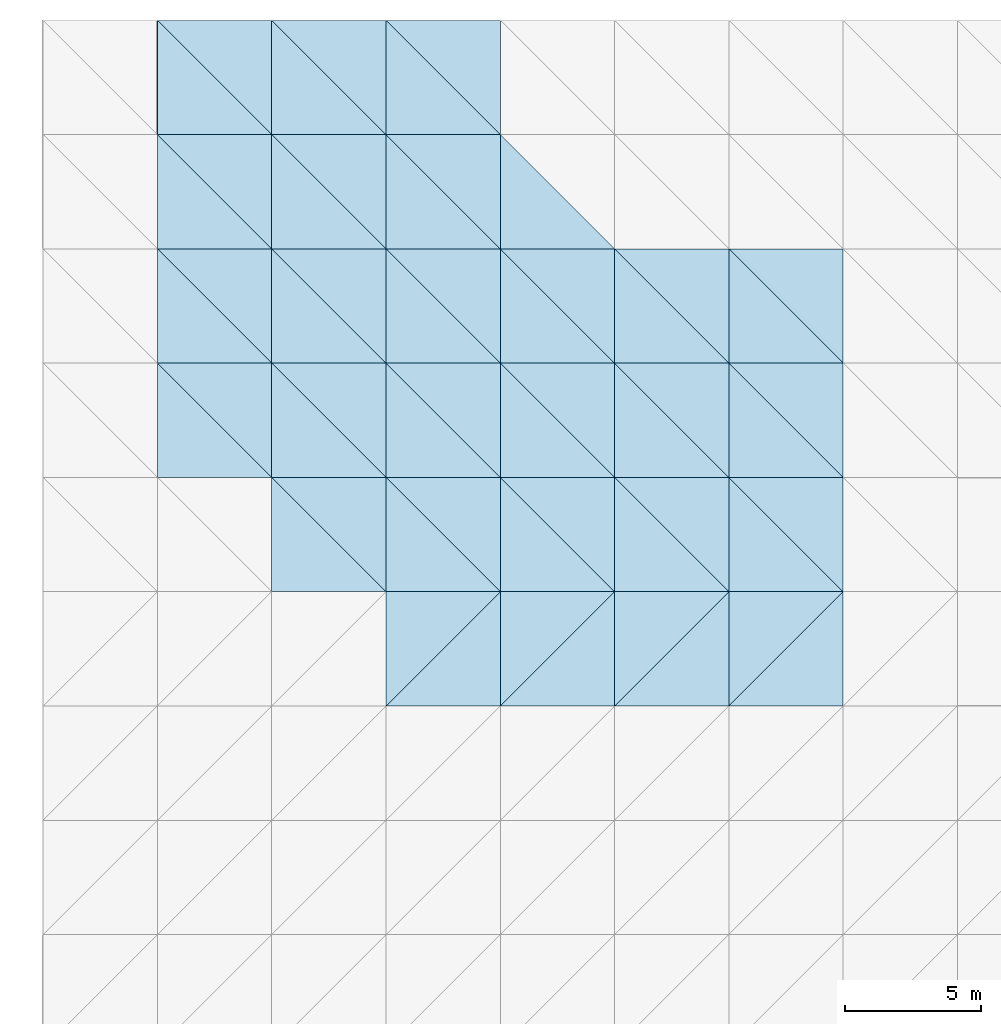
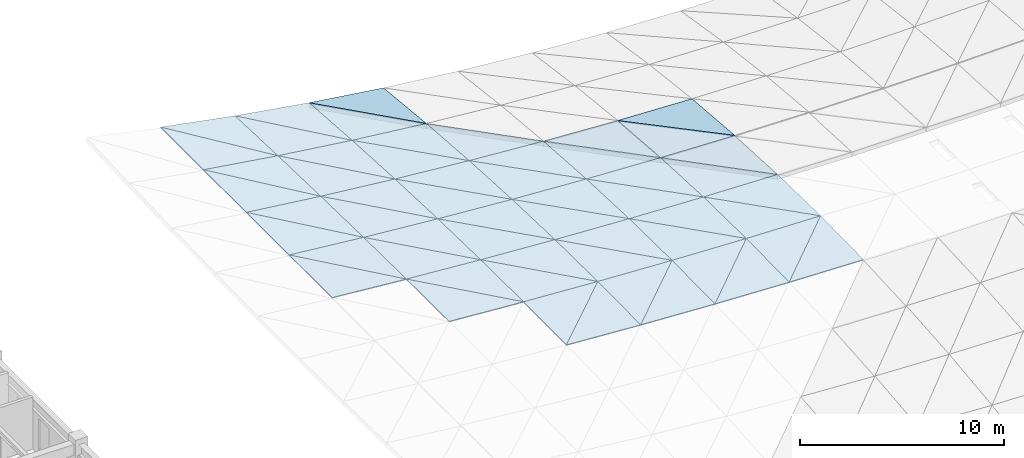
# One storey, part 43 of 64: 55 roofs.
"""IFC4 building model written with IfcOpenShell, lengths in metres."""

import ifcopenshell
import ifcopenshell.guid

model = None  # the IFC model being written
_history = None  # IfcOwnerHistory: only IFC2X3 demands one
_inside = {}  # id of a spatial element -> (the spatial element, [elements in it])
_under = {}  # id of a project, library or spatial element -> (it, [spatial elements below it])
_declared = {}  # id of a project -> (the project, [libraries it declares])
_typed = {}  # id of a type object -> (the type object, [elements of that type])
_made_of = {}  # id of a material, layer set ... -> (it, [elements and type objects made of it])


def new_model(schema):
    """Start an empty IFC model of exactly this schema.

    Asked for "IFC4X3", IfcOpenShell would pick the latest addendum, in which some entities
    have other attributes; the version numbers below select the first issue.
    IFC2X3 requires an IfcOwnerHistory on every rooted entity: one is made here for all.
    """
    global model, _history
    if schema == "IFC4X3":
        model = ifcopenshell.file(schema_version=(4, 3, 0, 0))
    else:
        model = ifcopenshell.file(schema=schema)
    _inside.clear()
    _under.clear()
    _declared.clear()
    _typed.clear()
    _made_of.clear()
    _history = None
    if model.schema == "IFC2X3":
        org = make("IfcOrganization", Name="unknown")
        user = make(
            "IfcPersonAndOrganization",
            ThePerson=make("IfcPerson", FamilyName="unknown"),
            TheOrganization=org,
        )
        app = make(
            "IfcApplication",
            ApplicationDeveloper=org,
            Version="unknown",
            ApplicationFullName="unknown",
            ApplicationIdentifier="unknown",
        )
        _history = make(
            "IfcOwnerHistory",
            OwningUser=user,
            OwningApplication=app,
            ChangeAction="ADDED",
            CreationDate=0,
        )
    return model


def make(cls, **values):
    """One entity of the class cls with the attributes given. An attribute that is None is left unset."""
    return model.create_entity(
        cls, **{name: value for name, value in values.items() if value is not None}
    )


def rooted(cls, **values):
    """An entity with a GlobalId (a new one), such as an element, a storey or a relation."""
    return make(cls, GlobalId=ifcopenshell.guid.new(), OwnerHistory=_history, **values)


def si_unit(unit_type, name, prefix=None):
    """IfcSIUnit, for example si_unit("LENGTHUNIT", "METRE", prefix="MILLI")."""
    return make("IfcSIUnit", UnitType=unit_type, Prefix=prefix, Name=name)


def assignment(units):
    """IfcUnitAssignment: the units of a project."""
    return None if units is None else make("IfcUnitAssignment", Units=units)


def point(xyz):
    """IfcCartesianPoint."""
    return None if xyz is None else make("IfcCartesianPoint", Coordinates=xyz)


def direction(xyz):
    """IfcDirection."""
    return None if xyz is None else make("IfcDirection", DirectionRatios=xyz)


def frame(location, z_axis=None, x_axis=None):
    """IfcAxis2Placement3D, a coordinate frame: its origin and axes. An axis left out is left unset."""
    return make(
        "IfcAxis2Placement3D",
        Location=point(location),
        Axis=direction(z_axis),
        RefDirection=direction(x_axis),
    )


def origin():
    """The frame at (0, 0, 0) with its axes left unset."""
    return frame((0.0, 0.0, 0.0))


def place(relative_to, where):
    """IfcLocalPlacement: puts the frame where relative to a parent placement (None: the world)."""
    return make(
        "IfcLocalPlacement", PlacementRelTo=relative_to, RelativePlacement=where
    )


def context(
    kind, dimensions, precision=None, world=None, true_north=None, identifier=None
):
    """IfcGeometricRepresentationContext, for example the 3D "Model" context."""
    return make(
        "IfcGeometricRepresentationContext",
        ContextIdentifier=identifier,
        ContextType=kind,
        CoordinateSpaceDimension=dimensions,
        Precision=precision,
        WorldCoordinateSystem=world,
        TrueNorth=true_north,
    )


def subcontext(parent, identifier, kind, view, scale=None):
    """IfcGeometricRepresentationSubContext, for example "Body" below "Model"."""
    return make(
        "IfcGeometricRepresentationSubContext",
        ContextIdentifier=identifier,
        ContextType=kind,
        ParentContext=parent,
        TargetScale=scale,
        TargetView=view,
    )


def project(units=None, contexts=None):
    """IfcProject with its units and contexts."""
    return rooted(
        "IfcProject",
        Name="project",
        RepresentationContexts=contexts,
        UnitsInContext=assignment(units),
    )


def spatial(cls, under=None, at=None, **own):
    """A site, building, storey or space (cls), placed at a placement, below another one or the project."""
    s = rooted(cls, ObjectPlacement=at, **own)
    if under is not None:
        _under.setdefault(under.id(), (under, []))[1].append(s)
    return s


def polyline(points):
    """IfcPolyline through the points."""
    return make("IfcPolyline", Points=[point(p) for p in points])


def outline(outer, holes=None, kind="AREA"):
    """IfcArbitraryClosedProfileDef: a profile drawn as a closed curve; with holes, ...WithVoids."""
    if holes is None:
        return make("IfcArbitraryClosedProfileDef", ProfileType=kind, OuterCurve=outer)
    return make(
        "IfcArbitraryProfileDefWithVoids",
        ProfileType=kind,
        OuterCurve=outer,
        InnerCurves=holes,
    )


def extrude(swept, where, along, depth):
    """IfcExtrudedAreaSolid: the profile swept, set in the frame where, extruded along a direction by depth."""
    return make(
        "IfcExtrudedAreaSolid",
        SweptArea=swept,
        Position=where,
        ExtrudedDirection=direction(along),
        Depth=depth,
    )


def shape(context_of_items, identifier, shape_type, items):
    """IfcShapeRepresentation: the items that make up one representation, for example the "Body"."""
    return make(
        "IfcShapeRepresentation",
        ContextOfItems=context_of_items,
        RepresentationIdentifier=identifier,
        RepresentationType=shape_type,
        Items=items,
    )


def material(Name=None, Category=None):
    """IfcMaterial."""
    return make("IfcMaterial", Name=Name, Category=Category)


def layer(
    of_material, thickness, ventilated=None, Name=None, Category=None, Priority=None
):
    """IfcMaterialLayer: one layer of a wall or slab, of a material (None: an air gap)."""
    return make(
        "IfcMaterialLayer",
        Material=of_material,
        LayerThickness=thickness,
        IsVentilated=ventilated,
        Name=Name,
        Category=Category,
        Priority=Priority,
    )


def layer_set(layers, Name=None):
    """IfcMaterialLayerSet."""
    return make("IfcMaterialLayerSet", MaterialLayers=layers, LayerSetName=Name)


def made_of(thing, what):
    """Note that an element or type object is made of a material, layer set ...; save() writes the relation."""
    if what is not None:
        _made_of.setdefault(what.id(), (what, []))[1].append(thing)
    return thing


def type_object(cls, material=None, **own):
    """A type object (cls), such as IfcWallType, which elements share."""
    return made_of(rooted(cls, **own), material)


def element(
    cls,
    number,
    at=None,
    inside=None,
    cuts=None,
    type_object=None,
    material=None,
    context=None,
    identifier="Body",
    shape_type=None,
    held_by="IfcProductDefinitionShape",
    body=None,
    shapes=None,
    **own,
):
    """One element of the class cls, such as IfcWall. Its Tag is "e" and its number.

    at: its placement. inside: the storey or other place that contains it. cuts: it is an
    opening in that element (IfcRelVoidsElement). A single representation is given by context,
    identifier, shape_type and body (its items); several are given by shapes. held_by: the class
    of the entity that holds the representations. save() writes the other relations.
    """
    e = rooted(cls, Tag="e%d" % number, ObjectPlacement=at, **own)
    if body is not None:
        shapes = [shape(context, identifier, shape_type, body)]
    if shapes is not None:
        e.Representation = make(held_by, Representations=shapes)
    if inside is not None:
        _inside.setdefault(inside.id(), (inside, []))[1].append(e)
    if cuts is not None:
        rooted(
            "IfcRelVoidsElement", RelatingBuildingElement=cuts, RelatedOpeningElement=e
        )
    if type_object is not None:
        _typed.setdefault(type_object.id(), (type_object, []))[1].append(e)
    return made_of(e, material)


def aggregate(whole, parts):
    """IfcRelAggregates: a whole, such as a stair, and the parts it consists of."""
    return rooted("IfcRelAggregates", RelatingObject=whole, RelatedObjects=parts)


def save(model, path):
    """Write the relations noted so far, then the file.

    IfcRelAggregates (storeys below a building ...), IfcRelContainedInSpatialStructure (elements
    in a storey), IfcRelDefinesByType, IfcRelAssociatesMaterial and IfcRelDeclares: one each for
    every whole, place, type object, material and project.
    """
    for whole, parts in _under.values():
        aggregate(whole, parts)
    for where, things in _inside.values():
        rooted(
            "IfcRelContainedInSpatialStructure",
            RelatedElements=things,
            RelatingStructure=where,
        )
    for kind, things in _typed.values():
        rooted("IfcRelDefinesByType", RelatedObjects=things, RelatingType=kind)
    for what, things in _made_of.values():
        rooted("IfcRelAssociatesMaterial", RelatedObjects=things, RelatingMaterial=what)
    for by, libraries in _declared.values():
        rooted("IfcRelDeclares", RelatingContext=by, RelatedDefinitions=libraries)
    model.write(path)


model = new_model("IFC4")

# Units and contexts
model_context = context("Model", 3, precision=1e-05, world=origin(), true_north=direction((0.0, 1.0)))
body_context = subcontext(model_context, "Body", "Model", "MODEL_VIEW")
ifc_project = project(units=[si_unit("LENGTHUNIT", "METRE"), si_unit("AREAUNIT", "SQUARE_METRE"), si_unit("VOLUMEUNIT", "CUBIC_METRE"), si_unit("PLANEANGLEUNIT", "RADIAN"), si_unit("MASSUNIT", "GRAM", prefix="KILO")], contexts=[model_context])

# Site, building, storey
site_placement = place(None, origin())
site = spatial("IfcSite", under=ifc_project, at=site_placement, CompositionType="ELEMENT")
building_placement = place(site_placement, origin())
building = spatial("IfcBuilding", under=site, at=building_placement, Name="Cumbredor Promenade Congress Hotel", CompositionType="ELEMENT")
storey_placement = place(building_placement, frame((0.0, 0.0, 18.47998046875)))
storey = spatial("IfcBuildingStorey", under=building, at=storey_placement, Name="L05", CompositionType="ELEMENT", Elevation=18.47998046875)

# Roofs
ifc_material = material(Name="Standing-seam zinc-aluminium roofing", Category="aluminium")
ifc_layer = layer(ifc_material, 0.050048828125, Name="Standing-seam zinc-aluminium roofing", Category="aluminium")
ifc_layer_set = layer_set([ifc_layer], Name="Standing-seam zinc-aluminium roofing")
roof_type = type_object("IfcRoofType", Name="Sweeping Pavilion Standing-Seam Roof Skin 50mm", PredefinedType="FREEFORM", material=ifc_layer_set)
roof_1_placement = place(storey_placement, frame((100.800048828125, 105.0, 3.151123046875), z_axis=(0.086577137099, -0.000115822257, 0.996245143485), x_axis=(0.996245150167, 0.0, -0.086577137679)))
element("IfcRoof", 1, at=roof_1_placement, inside=storey, type_object=roof_type, Name="Pre-Function and Breakout Meeting Forum Standing-Seam Roof Skin 4.7.1", PredefinedType="FREEFORM", context=body_context, shape_type="SweptSolid", body=[
    extrude(outline(polyline([(0.0, 0.0), (4.215780795691743, 6.776263578034403e-21), (-4.227399300754566e-05, 4.199951200045743), (0.0, 0.0)])), origin(), (0.0, 0.0, -1.0), 0.050048828125),
])
roof_2_placement = place(storey_placement, frame((105.0, 105.0, 2.7861328125), z_axis=(0.099135100471, 0.012550943292, 0.99499482696), x_axis=(0.0, 0.999920451999, -0.012613075515)))
element("IfcRoof", 2, at=roof_2_placement, inside=storey, type_object=roof_type, Name="Pre-Function and Breakout Meeting Forum Standing-Seam Roof Skin 4.7.2", PredefinedType="FREEFORM", context=body_context, shape_type="SweptSolid", body=[
    extrude(outline(polyline([(0.0, 0.0), (4.200285296173584, 8.673617379884035e-19), (4.1950072660386635, 4.220742621332724), (0.0, 0.0)])), origin(), (0.0, 0.0, -1.0), 0.050048828125),
])
roof_3_placement = place(storey_placement, frame((100.800048828125, 109.199951171875, 3.151611328125), z_axis=(0.099142906927, -0.000231372011, 0.995073178451), x_axis=(0.995073205086, 0.0, -0.099142909581)))
element("IfcRoof", 3, at=roof_3_placement, inside=storey, type_object=roof_type, Name="Pre-Function and Breakout Meeting Forum Standing-Seam Roof Skin 4.8.1", PredefinedType="FREEFORM", context=body_context, shape_type="SweptSolid", body=[
    extrude(outline(polyline([(0.0, 0.0), (4.220745921414454, 0.0), (-9.681924763742513e-05, 4.1999512842930145), (0.0, 0.0)])), origin(), (0.0, 0.0, -1.0), 0.050048828125),
])
roof_4_placement = place(storey_placement, frame((105.0, 109.199951171875, 2.733154296875), z_axis=(0.120008746289, 0.020886137575, 0.992553106927), x_axis=(0.0, 0.999778672914, -0.021038184014)))
element("IfcRoof", 4, at=roof_4_placement, inside=storey, type_object=roof_type, Name="Pre-Function and Breakout Meeting Forum Standing-Seam Roof Skin 4.8.2", PredefinedType="FREEFORM", context=body_context, shape_type="SweptSolid", body=[
    extrude(outline(polyline([(0.0, 0.0), (4.200880940612829, 1.734723475976807e-18), (4.190197487793162, 4.230525882810113), (0.0, 0.0)])), origin(), (0.0, 0.0, -1.0), 0.050048828125),
])
roof_5_placement = place(storey_placement, frame((100.800048828125, 113.39990234375, 3.152587890625), z_axis=(0.120034927411, -0.000230822981, 0.992769642426), x_axis=(0.992769668873, 0.0, -0.120034930608)))
element("IfcRoof", 5, at=roof_5_placement, inside=storey, type_object=roof_type, Name="Pre-Function and Breakout Meeting Forum Standing-Seam Roof Skin 4.9.1", PredefinedType="FREEFORM", context=body_context, shape_type="SweptSolid", body=[
    extrude(outline(polyline([(0.0, 0.0), (4.230539372383909, 0.0), (-0.00011722161192221794, 4.20019542439163), (0.0, 0.0)])), origin(), (0.0, 0.0, -1.0), 0.050048828125),
])
roof_6_placement = place(storey_placement, frame((105.0, 113.39990234375, 2.644775390625), z_axis=(0.148870309727, 0.029128853663, 0.988427610281), x_axis=(0.0, 0.999566045409, -0.029457102129)))
element("IfcRoof", 6, at=roof_6_placement, inside=storey, type_object=roof_type, Name="Pre-Function and Breakout Meeting Forum Standing-Seam Roof Skin 4.9.2", PredefinedType="FREEFORM", context=body_context, shape_type="SweptSolid", body=[
    extrude(outline(polyline([(0.0, 0.0), (4.202018797849654, 0.0), (4.183385167084156, 4.247279760413842), (0.0, 0.0)])), origin(), (0.0, 0.0, -1.0), 0.050048828125),
])
roof_7_placement = place(storey_placement, frame((100.800048828125, 117.60009765625, 3.153564453125), z_axis=(0.148933498583, -0.000344886527, 0.98884715404), x_axis=(0.98884721285, 0.0, -0.14893350744)))
element("IfcRoof", 7, at=roof_7_placement, inside=storey, type_object=roof_type, Name="Pre-Function and Breakout Meeting Forum Standing-Seam Roof Skin 4.10.1", PredefinedType="FREEFORM", context=body_context, shape_type="SweptSolid", body=[
    extrude(outline(polyline([(0.0, 0.0), (4.247320634872833, 2.710505431213761e-20), (-0.00021816431753944235, 4.199951421660223), (0.0, 0.0)])), origin(), (0.0, 0.0, -1.0), 0.050048828125),
])
roof_8_placement = place(storey_placement, frame((105.0, 117.60009765625, 2.52099609375), z_axis=(0.185453085958, 0.037216193304, 0.981948118724), x_axis=(0.0, 0.999282553953, -0.037873174747)))
element("IfcRoof", 8, at=roof_8_placement, inside=storey, type_object=roof_type, Name="Pre-Function and Breakout Meeting Forum Standing-Seam Roof Skin 4.10.2", PredefinedType="FREEFORM", context=body_context, shape_type="SweptSolid", body=[
    extrude(outline(polyline([(0.0, 0.0), (4.202966573629487, 0.0), (4.17292508321106, 4.274093359396972), (0.0, 0.0)])), origin(), (0.0, 0.0, -1.0), 0.050048828125),
])
roof_9_placement = place(storey_placement, frame((105.0, 100.800048828125, 2.803955078125), z_axis=(0.071431830066, 0.004232567853, 0.997436503755), x_axis=(0.997445438228, 0.0, -0.071432469912)))
element("IfcRoof", 9, at=roof_9_placement, inside=storey, type_object=roof_type, Name="Pre-Function and Breakout Meeting Forum Standing-Seam Roof Skin 5.6.1", PredefinedType="FREEFORM", context=body_context, shape_type="SweptSolid", body=[
    extrude(outline(polyline([(0.0, 0.0), (4.210707684758674, 0.0), (0.0012730884530225378, 4.199988792667426), (0.0, 0.0)])), origin(), (0.0, 0.0, -1.0), 0.050048828125),
])
roof_10_placement = place(storey_placement, frame((109.199951171875, 100.800048828125, 2.503173828125), z_axis=(0.075062849528, 0.00788304829, 0.997147645121), x_axis=(0.0, 0.999968752226, -0.007905350829)))
element("IfcRoof", 10, at=roof_10_placement, inside=storey, type_object=roof_type, Name="Pre-Function and Breakout Meeting Forum Standing-Seam Roof Skin 5.6.2", PredefinedType="FREEFORM", context=body_context, shape_type="SweptSolid", body=[
    extrude(outline(polyline([(0.0, 0.0), (4.200082415101393, 8.673617379884035e-19), (4.1975830427081045, 4.211833576801946), (0.0, 0.0)])), origin(), (0.0, 0.0, -1.0), 0.050048828125),
])
roof_11_placement = place(storey_placement, frame((105.0, 105.0, 2.7861328125), z_axis=(0.075059244289, 0.012577494989, 0.997099752516), x_axis=(0.997178629164, 0.0, -0.075065181931)))
element("IfcRoof", 11, at=roof_11_placement, inside=storey, type_object=roof_type, Name="Pre-Function and Breakout Meeting Forum Standing-Seam Roof Skin 5.7.1", PredefinedType="FREEFORM", context=body_context, shape_type="SweptSolid", body=[
    extrude(outline(polyline([(0.0, 0.0), (4.2118343183865425, 0.0), (0.0039768419138511745, 4.200283413530617), (0.0, 0.0)])), origin(), (0.0, 0.0, -1.0), 0.050048828125),
])
roof_12_placement = place(storey_placement, frame((109.199951171875, 105.0, 2.469970703125), z_axis=(0.086035794865, 0.023622210165, 0.99601196438), x_axis=(0.0, 0.999718875442, -0.023710126209)))
element("IfcRoof", 12, at=roof_12_placement, inside=storey, type_object=roof_type, Name="Pre-Function and Breakout Meeting Forum Standing-Seam Roof Skin 5.7.2", PredefinedType="FREEFORM", context=body_context, shape_type="SweptSolid", body=[
    extrude(outline(polyline([(0.0, 0.0), (4.201132213311321, 0.0), (4.192530346234374, 4.2155823550479266), (0.0, 0.0)])), origin(), (0.0, 0.0, -1.0), 0.050048828125),
])
roof_13_placement = place(storey_placement, frame((105.0, 109.199951171875, 2.733154296875), z_axis=(0.086040902939, 0.020960166126, 0.996071099098), x_axis=(0.996289972461, 0.0, -0.086059809282)))
element("IfcRoof", 13, at=roof_13_placement, inside=storey, type_object=roof_type, Name="Pre-Function and Breakout Meeting Forum Standing-Seam Roof Skin 5.8.1", PredefinedType="FREEFORM", context=body_context, shape_type="SweptSolid", body=[
    extrude(outline(polyline([(0.0, 0.0), (4.215591131064376, -2.6020852139652106e-18), (0.007605871816420661, 4.200874055231607), (0.0, 0.0)])), origin(), (0.0, 0.0, -1.0), 0.050048828125),
])
roof_14_placement = place(storey_placement, frame((109.199951171875, 109.199951171875, 2.370361328125), z_axis=(0.104156150302, 0.039224640075, 0.993787162307), x_axis=(0.0, 0.999221974009, -0.039439151331)))
element("IfcRoof", 14, at=roof_14_placement, inside=storey, type_object=roof_type, Name="Pre-Function and Breakout Meeting Forum Standing-Seam Roof Skin 5.8.2", PredefinedType="FREEFORM", context=body_context, shape_type="SweptSolid", body=[
    extrude(outline(polyline([(0.0, 0.0), (4.203221387360661, 0.0), (4.185860842963614, 4.222919816111841), (0.0, 0.0)])), origin(), (0.0, 0.0, -1.0), 0.050048828125),
])
roof_15_placement = place(storey_placement, frame((105.0, 113.39990234375, 2.644775390625), z_axis=(0.104191626077, 0.029296774213, 0.994125648033), x_axis=(0.99455255237, 0.0, -0.104236368768)))
element("IfcRoof", 15, at=roof_15_placement, inside=storey, type_object=roof_type, Name="Pre-Function and Breakout Meeting Forum Standing-Seam Roof Skin 5.9.1", PredefinedType="FREEFORM", context=body_context, shape_type="SweptSolid", body=[
    extrude(outline(polyline([(0.0, 0.0), (4.222955500808863, 1.734723475976807e-18), (0.012902304434959986, 4.2019989895313055), (0.0, 0.0)])), origin(), (0.0, 0.0, -1.0), 0.050048828125),
])
roof_16_placement = place(storey_placement, frame((109.199951171875, 113.39990234375, 2.20458984375), z_axis=(0.129322479691, 0.054730097694, 0.990091062808), x_axis=(0.0, 0.998475672531, -0.055193580829)))
element("IfcRoof", 16, at=roof_16_placement, inside=storey, type_object=roof_type, Name="Pre-Function and Breakout Meeting Forum Standing-Seam Roof Skin 5.9.2", PredefinedType="FREEFORM", context=body_context, shape_type="SweptSolid", body=[
    extrude(outline(polyline([(0.0, 0.0), (4.206607559956892, 0.0), (4.176329245473974, 4.2355185583018065), (0.0, 0.0)])), origin(), (0.0, 0.0, -1.0), 0.050048828125),
])
roof_17_placement = place(storey_placement, frame((105.0, 117.60009765625, 2.52099609375), z_axis=(0.129425237007, 0.037554630409, 0.990877771353), x_axis=(0.99157725369, 0.0, -0.129516601118)))
element("IfcRoof", 17, at=roof_17_placement, inside=storey, type_object=roof_type, Name="Pre-Function and Breakout Meeting Forum Standing-Seam Roof Skin 5.10.1", PredefinedType="FREEFORM", context=body_context, shape_type="SweptSolid", body=[
    extrude(outline(polyline([(0.0, 0.0), (4.235626781722741, 3.469446951953614e-18), (0.020616412092096713, 4.202916009462863), (0.0, 0.0)])), origin(), (0.0, 0.0, -1.0), 0.050048828125),
])
roof_18_placement = place(storey_placement, frame((109.199951171875, 117.60009765625, 1.972412109375), z_axis=(0.16120267828, 0.069928886354, 0.984440779005), x_axis=(0.0, 0.997486584501, -0.070855583692)))
element("IfcRoof", 18, at=roof_18_placement, inside=storey, type_object=roof_type, Name="Pre-Function and Breakout Meeting Forum Standing-Seam Roof Skin 5.10.2", PredefinedType="FREEFORM", context=body_context, shape_type="SweptSolid", body=[
    extrude(outline(polyline([(0.0, 0.0), (4.210533993272463, 6.938893903907228e-18), (4.161803480757453, 4.255608908986848), (0.0, 0.0)])), origin(), (0.0, 0.0, -1.0), 0.050048828125),
])
roof_19_placement = place(storey_placement, frame((109.199951171875, 96.60009765625, 2.469970703125), z_axis=(0.06357709182, -0.010963567841, 0.997916706733), x_axis=(0.997976686844, 0.0, -0.063580913142)))
element("IfcRoof", 19, at=roof_19_placement, inside=storey, type_object=roof_type, Name="Pre-Function and Breakout Meeting Forum Standing-Seam Roof Skin 6.5.1", PredefinedType="FREEFORM", context=body_context, shape_type="SweptSolid", body=[
    extrude(outline(polyline([(0.0, 0.0), (4.208466216938507, 0.0), (4.2055324296865955, 4.200203611319643), (0.0, 0.0)])), origin(), (0.0, 0.0, -1.0), 0.050048828125),
])
roof_20_placement = place(storey_placement, frame((109.199951171875, 96.60009765625, 2.469970703125), z_axis=(0.060515950101, -0.007890862142, 0.998136039865), x_axis=(0.706615897293, 0.706615897293, -0.037255165892)))
element("IfcRoof", 20, at=roof_20_placement, inside=storey, type_object=roof_type, Name="Pre-Function and Breakout Meeting Forum Standing-Seam Roof Skin 6.5.2", PredefinedType="FREEFORM", context=body_context, shape_type="SweptSolid", body=[
    extrude(outline(polyline([(0.0, 0.0), (5.943754149835624, -2.706168622523819e-16), (2.9665152779711583, 2.973294368071828), (0.0, 0.0)])), origin(), (0.0, 0.0, -1.0), 0.050048828125),
])
roof_21_placement = place(storey_placement, frame((109.199951171875, 100.800048828125, 2.503173828125), z_axis=(0.060515950101, 0.007890862142, 0.998136039865), x_axis=(0.998167116139, 0.0, -0.060517834223)))
element("IfcRoof", 21, at=roof_21_placement, inside=storey, type_object=roof_type, Name="Pre-Function and Breakout Meeting Forum Standing-Seam Roof Skin 6.6.1", PredefinedType="FREEFORM", context=body_context, shape_type="SweptSolid", body=[
    extrude(outline(polyline([(0.0, 0.0), (4.207663330085768, 4.336808689942018e-19), (0.0020093812144250786, 4.200081934442599), (0.0, 0.0)])), origin(), (0.0, 0.0, -1.0), 0.050048828125),
])
roof_22_placement = place(storey_placement, frame((113.39990234375, 100.800048828125, 2.24853515625), z_axis=(0.06357709182, 0.010963567841, 0.997916706733), x_axis=(0.0, 0.999939654357, -0.010985792866)))
element("IfcRoof", 22, at=roof_22_placement, inside=storey, type_object=roof_type, Name="Pre-Function and Breakout Meeting Forum Standing-Seam Roof Skin 6.6.2", PredefinedType="FREEFORM", context=body_context, shape_type="SweptSolid", body=[
    extrude(outline(polyline([(0.0, 0.0), (4.200204635925518, 0.0), (4.197265078068801, 4.208465190317287), (0.0, 0.0)])), origin(), (0.0, 0.0, -1.0), 0.050048828125),
])
roof_23_placement = place(storey_placement, frame((109.199951171875, 105.0, 2.469970703125), z_axis=(0.063563111212, 0.023662180086, 0.997697264769), x_axis=(0.997976686844, 0.0, -0.063580913142)))
element("IfcRoof", 23, at=roof_23_placement, inside=storey, type_object=roof_type, Name="Pre-Function and Breakout Meeting Forum Standing-Seam Roof Skin 6.7.1", PredefinedType="FREEFORM", context=body_context, shape_type="SweptSolid", body=[
    extrude(outline(polyline([(0.0, 0.0), (4.208466216938507, 0.0), (0.006333255019998972, 4.2011274395813), (0.0, 0.0)])), origin(), (0.0, 0.0, -1.0), 0.050048828125),
])
roof_24_placement = place(storey_placement, frame((113.39990234375, 105.0, 2.202392578125), z_axis=(0.072834752498, 0.032969748744, 0.996798923804), x_axis=(0.0, 0.999453449873, -0.033057548856)))
element("IfcRoof", 24, at=roof_24_placement, inside=storey, type_object=roof_type, Name="Pre-Function and Breakout Meeting Forum Standing-Seam Roof Skin 6.7.2", PredefinedType="FREEFORM", context=body_context, shape_type="SweptSolid", body=[
    extrude(outline(polyline([(0.0, 0.0), (4.202247911003266, -1.734723475976807e-18), (4.19210305287031, 4.211135854773668), (0.0, 0.0)])), origin(), (0.0, 0.0, -1.0), 0.050048828125),
])
roof_25_placement = place(storey_placement, frame((109.199951171875, 109.199951171875, 2.370361328125), z_axis=(0.072817973247, 0.039334450147, 0.996569287006), x_axis=(0.997341128252, 0.0, -0.072874370645)))
element("IfcRoof", 25, at=roof_25_placement, inside=storey, type_object=roof_type, Name="Pre-Function and Breakout Meeting Forum Standing-Seam Roof Skin 6.8.1", PredefinedType="FREEFORM", context=body_context, shape_type="SweptSolid", body=[
    extrude(outline(polyline([(0.0, 0.0), (4.211148074516841, 1.734723475976807e-18), (0.012080492594781774, 4.2032040270328), (0.0, 0.0)])), origin(), (0.0, 0.0, -1.0), 0.050048828125),
])
roof_26_placement = place(storey_placement, frame((113.39990234375, 109.199951171875, 2.0634765625), z_axis=(0.088168608244, 0.054751260333, 0.994599716475), x_axis=(0.0, 0.99848826417, -0.054965319198)))
element("IfcRoof", 26, at=roof_26_placement, inside=storey, type_object=roof_type, Name="Pre-Function and Breakout Meeting Forum Standing-Seam Roof Skin 6.8.2", PredefinedType="FREEFORM", context=body_context, shape_type="SweptSolid", body=[
    extrude(outline(polyline([(0.0, 0.0), (4.2063100014157975, -3.469446951953614e-18), (4.185845618657625, 4.216371557059254), (0.0, 0.0)])), origin(), (0.0, 0.0, -1.0), 0.050048828125),
])
roof_27_placement = place(storey_placement, frame((109.199951171875, 113.39990234375, 2.20458984375), z_axis=(0.088167505019, 0.054978638402, 0.994587271373), x_axis=(0.996093832538, 0.0, -0.088301057642)))
element("IfcRoof", 27, at=roof_27_placement, inside=storey, type_object=roof_type, Name="Pre-Function and Breakout Meeting Forum Standing-Seam Roof Skin 6.9.1", PredefinedType="FREEFORM", context=body_context, shape_type="SweptSolid", body=[
    extrude(outline(polyline([(0.0, 0.0), (4.216421219249798, -3.469446951953614e-18), (0.020501539506294852, 4.206557600980207), (0.0, 0.0)])), origin(), (0.0, 0.0, -1.0), 0.050048828125),
])
roof_28_placement = place(storey_placement, frame((113.39990234375, 113.39990234375, 1.832275390625), z_axis=(0.109457595938, 0.076385439873, 0.991052117331), x_axis=(0.0, 0.997042883289, -0.076847178752)))
element("IfcRoof", 28, at=roof_28_placement, inside=storey, type_object=roof_type, Name="Pre-Function and Breakout Meeting Forum Standing-Seam Roof Skin 6.9.2", PredefinedType="FREEFORM", context=body_context, shape_type="SweptSolid", body=[
    extrude(outline(polyline([(0.0, 0.0), (4.212652617952739, 0.0), (4.177005733277948, 4.225339266069215), (0.0, 0.0)])), origin(), (0.0, 0.0, -1.0), 0.050048828125),
])
roof_29_placement = place(storey_placement, frame((109.199951171875, 117.60009765625, 1.972412109375), z_axis=(0.109505722465, 0.070429469922, 0.991487865036), x_axis=(0.993956094932, 0.0, -0.10977832822)))
element("IfcRoof", 29, at=roof_29_placement, inside=storey, type_object=roof_type, Name="Pre-Function and Breakout Meeting Forum Standing-Seam Roof Skin 6.10.1", PredefinedType="FREEFORM", context=body_context, shape_type="SweptSolid", body=[
    extrude(outline(polyline([(0.0, 0.0), (4.225489630063402, 0.0), (0.03275124928833998, 4.2104066150638015), (0.0, 0.0)])), origin(), (0.0, 0.0, -1.0), 0.050048828125),
])
roof_30_placement = place(storey_placement, frame((113.39990234375, 117.60009765625, 1.508544921875), z_axis=(0.136555679949, 0.097703497404, 0.985802501959), x_axis=(0.0, 0.995124432433, -0.098627399715)))
element("IfcRoof", 30, at=roof_30_placement, inside=storey, type_object=roof_type, Name="Pre-Function and Breakout Meeting Forum Standing-Seam Roof Skin 6.10.2", PredefinedType="FREEFORM", context=body_context, shape_type="SweptSolid", body=[
    extrude(outline(polyline([(0.0, 0.0), (4.220528644448746, -6.938893903907228e-18), (4.163148494663336, 4.239666685622787), (0.0, 0.0)])), origin(), (0.0, 0.0, -1.0), 0.050048828125),
])
roof_31_placement = place(storey_placement, frame((113.39990234375, 96.60009765625, 2.202392578125), z_axis=(0.052063549946, -0.013524539904, 0.998552188715), x_axis=(0.998643525423, 0.0, -0.052068312154)))
element("IfcRoof", 31, at=roof_31_placement, inside=storey, type_object=roof_type, Name="Pre-Function and Breakout Meeting Forum Standing-Seam Roof Skin 7.5.1", PredefinedType="FREEFORM", context=body_context, shape_type="SweptSolid", body=[
    extrude(outline(polyline([(0.0, 0.0), (4.205900509614446, 0.0), (4.202938615881053, 4.200335337789104), (0.0, 0.0)])), origin(), (0.0, 0.0, -1.0), 0.050048828125),
])
roof_32_placement = place(storey_placement, frame((113.39990234375, 96.60009765625, 2.202392578125), z_axis=(0.049517680085, -0.010972316014, 0.998712975604), x_axis=(0.706864125014, 0.706823037818, -0.027281898338)))
element("IfcRoof", 32, at=roof_32_placement, inside=storey, type_object=roof_type, Name="Pre-Function and Breakout Meeting Forum Standing-Seam Roof Skin 7.5.2", PredefinedType="FREEFORM", context=body_context, shape_type="SweptSolid", body=[
    extrude(outline(polyline([(0.0, 0.0), (5.942012281941535, -1.0408340855860843e-17), (2.967363388867351, 2.9726206455011845), (0.0, 0.0)])), origin(), (0.0, 0.0, -1.0), 0.050048828125),
])
roof_33_placement = place(storey_placement, frame((113.39990234375, 100.800048828125, 2.24853515625), z_axis=(0.049517680085, 0.010972316014, 0.998712975604), x_axis=(0.998773099419, 0.0, -0.049520661114)))
element("IfcRoof", 33, at=roof_33_placement, inside=storey, type_object=roof_type, Name="Pre-Function and Breakout Meeting Forum Standing-Seam Roof Skin 7.6.1", PredefinedType="FREEFORM", context=body_context, shape_type="SweptSolid", body=[
    extrude(outline(polyline([(0.0, 0.0), (4.205354864827385, 4.336808689942018e-19), (0.0022850109742518906, 4.20020401437538), (0.0, 0.0)])), origin(), (0.0, 0.0, -1.0), 0.050048828125),
])
roof_34_placement = place(storey_placement, frame((117.60009765625, 100.800048828125, 2.040283203125), z_axis=(0.052063549946, 0.013524539904, 0.998552188715), x_axis=(0.0, 0.999908290628, -0.013542907151)))
element("IfcRoof", 34, at=roof_34_placement, inside=storey, type_object=roof_type, Name="Pre-Function and Breakout Meeting Forum Standing-Seam Roof Skin 7.6.2", PredefinedType="FREEFORM", context=body_context, shape_type="SweptSolid", body=[
    extrude(outline(polyline([(0.0, 0.0), (4.200336382088273, 0.0), (4.197370564775206, 4.2058994639319085), (0.0, 0.0)])), origin(), (0.0, 0.0, -1.0), 0.050048828125),
])
roof_35_placement = place(storey_placement, frame((113.39990234375, 105.0, 2.202392578125), z_axis=(0.052039931301, 0.033012756035, 0.998099195215), x_axis=(0.998643525423, 0.0, -0.052068312154)))
element("IfcRoof", 35, at=roof_35_placement, inside=storey, type_object=roof_type, Name="Pre-Function and Breakout Meeting Forum Standing-Seam Roof Skin 7.7.1", PredefinedType="FREEFORM", context=body_context, shape_type="SweptSolid", body=[
    extrude(outline(polyline([(0.0, 0.0), (4.205900509614446, 0.0), (0.0072331224648094945, 4.202241685989839), (0.0, 0.0)])), origin(), (0.0, 0.0, -1.0), 0.050048828125),
])
roof_36_placement = place(storey_placement, frame((117.60009765625, 105.0, 1.9833984375), z_axis=(0.05959801279, 0.040584663454, 0.997397093421), x_axis=(0.0, 0.999173165078, -0.040656932835)))
element("IfcRoof", 36, at=roof_36_placement, inside=storey, type_object=roof_type, Name="Pre-Function and Breakout Meeting Forum Standing-Seam Roof Skin 7.7.2", PredefinedType="FREEFORM", context=body_context, shape_type="SweptSolid", body=[
    extrude(outline(polyline([(0.0, 0.0), (4.203426711871414, 0.0), (4.193222774626776, 4.207674628311462), (0.0, 0.0)])), origin(), (0.0, 0.0, -1.0), 0.050048828125),
])
roof_37_placement = place(storey_placement, frame((113.39990234375, 109.199951171875, 2.0634765625), z_axis=(0.059557305235, 0.054867749611, 0.996715835856), x_axis=(0.998219523348, 0.0, -0.059647155894)))
element("IfcRoof", 37, at=roof_37_placement, inside=storey, type_object=roof_type, Name="Pre-Function and Breakout Meeting Forum Standing-Seam Roof Skin 7.8.1", PredefinedType="FREEFORM", context=body_context, shape_type="SweptSolid", body=[
    extrude(outline(polyline([(0.0, 0.0), (4.207687000962797, 0.0), (0.013790492341726404, 4.206287395118352), (0.0, 0.0)])), origin(), (0.0, 0.0, -1.0), 0.050048828125),
])
roof_38_placement = place(storey_placement, frame((117.60009765625, 109.199951171875, 1.8125), z_axis=(0.072186117772, 0.06750488488, 0.99510414275), x_axis=(0.0, 0.997706981448, -0.067681453662)))
element("IfcRoof", 38, at=roof_38_placement, inside=storey, type_object=roof_type, Name="Pre-Function and Breakout Meeting Forum Standing-Seam Roof Skin 7.8.2", PredefinedType="FREEFORM", context=body_context, shape_type="SweptSolid", body=[
    extrude(outline(polyline([(0.0, 0.0), (4.209603871649053, 3.469446951953614e-18), (4.188982178736368, 4.21118153035281), (0.0, 0.0)])), origin(), (0.0, 0.0, -1.0), 0.050048828125),
])
roof_39_placement = place(storey_placement, frame((113.39990234375, 113.39990234375, 1.832275390625), z_axis=(0.072138319053, 0.076646963994, 0.994445225156), x_axis=(0.997379220956, 0.0, -0.072351154833)))
element("IfcRoof", 39, at=roof_39_placement, inside=storey, type_object=roof_type, Name="Pre-Function and Breakout Meeting Forum Standing-Seam Roof Skin 7.9.1", PredefinedType="FREEFORM", context=body_context, shape_type="SweptSolid", body=[
    extrude(outline(polyline([(0.0, 0.0), (4.211232021131491, 3.469446951953614e-18), (0.023422273268800687, 4.21258750373912), (0.0, 0.0)])), origin(), (0.0, 0.0, -1.0), 0.050048828125),
])
roof_40_placement = place(storey_placement, frame((117.60009765625, 96.60009765625, 1.9833984375), z_axis=(0.040536050793, -0.015563985118, 0.999056850711), x_axis=(0.999177877283, 0.0, -0.040540961364)))
element("IfcRoof", 40, at=roof_40_placement, inside=storey, type_object=roof_type, Name="Pre-Function and Breakout Meeting Forum Standing-Seam Roof Skin 8.5.1", PredefinedType="FREEFORM", context=body_context, shape_type="SweptSolid", body=[
    extrude(outline(polyline([(0.0, 0.0), (4.203406888166709, 0.0), (4.200754305733718, 4.200459957426921), (0.0, 0.0)])), origin(), (0.0, 0.0, -1.0), 0.050048828125),
])
roof_41_placement = place(storey_placement, frame((117.60009765625, 96.60009765625, 1.9833984375), z_axis=(0.038507672945, -0.013532862438, 0.999166663154), x_axis=(0.706996360154, 0.706996360154, -0.017671826708)))
element("IfcRoof", 41, at=roof_41_placement, inside=storey, type_object=roof_type, Name="Pre-Function and Breakout Meeting Forum Standing-Seam Roof Skin 8.5.2", PredefinedType="FREEFORM", context=body_context, shape_type="SweptSolid", body=[
    extrude(outline(polyline([(0.0, 0.0), (5.940555579328195, 1.3097162243624894e-16), (2.9683449336178573, 2.9718267240469456), (0.0, 0.0)])), origin(), (0.0, 0.0, -1.0), 0.050048828125),
])
roof_42_placement = place(storey_placement, frame((117.60009765625, 100.800048828125, 2.040283203125), z_axis=(0.038507672945, 0.013532862438, 0.999166663154), x_axis=(0.999258168598, 0.0, -0.038511199545)))
element("IfcRoof", 42, at=roof_42_placement, inside=storey, type_object=roof_type, Name="Pre-Function and Breakout Meeting Forum Standing-Seam Roof Skin 8.6.1", PredefinedType="FREEFORM", context=body_context, shape_type="SweptSolid", body=[
    extrude(outline(polyline([(0.0, 0.0), (4.20306914054878, 0.0), (0.0021907005600805694, 4.2003358108043525), (0.0, 0.0)])), origin(), (0.0, 0.0, -1.0), 0.050048828125),
])
roof_43_placement = place(storey_placement, frame((121.800048828125, 100.800048828125, 1.87841796875), z_axis=(0.040536050793, 0.015563985118, 0.999056850711), x_axis=(0.0, 0.999878674477, -0.015576788046)))
element("IfcRoof", 43, at=roof_43_placement, inside=storey, type_object=roof_type, Name="Pre-Function and Breakout Meeting Forum Standing-Seam Roof Skin 8.6.2", PredefinedType="FREEFORM", context=body_context, shape_type="SweptSolid", body=[
    extrude(outline(polyline([(0.0, 0.0), (4.200460794977205, 4.336808689942018e-19), (4.197806352092368, 4.203406050028988), (0.0, 0.0)])), origin(), (0.0, 0.0, -1.0), 0.050048828125),
])
roof_44_placement = place(storey_placement, frame((117.60009765625, 105.0, 1.9833984375), z_axis=(0.040507495707, 0.04062356303, 0.998353078284), x_axis=(0.999177877283, 0.0, -0.040540961364)))
element("IfcRoof", 44, at=roof_44_placement, inside=storey, type_object=roof_type, Name="Pre-Function and Breakout Meeting Forum Standing-Seam Roof Skin 8.7.1", PredefinedType="FREEFORM", context=body_context, shape_type="SweptSolid", body=[
    extrude(outline(polyline([(0.0, 0.0), (4.203406888166709, 0.0), (0.006928386951841727, 4.203421001937395), (0.0, 0.0)])), origin(), (0.0, 0.0, -1.0), 0.050048828125),
])
roof_45_placement = place(storey_placement, frame((121.800048828125, 105.0, 1.81298828125), z_axis=(0.046403024338, 0.046519031899, 0.997839034616), x_axis=(0.0, 0.998915066439, -0.046569196261)))
element("IfcRoof", 45, at=roof_45_placement, inside=storey, type_object=roof_type, Name="Pre-Function and Breakout Meeting Forum Standing-Seam Roof Skin 8.7.2", PredefinedType="FREEFORM", context=body_context, shape_type="SweptSolid", body=[
    extrude(outline(polyline([(0.0, 0.0), (4.2045127889057845, 1.734723475976807e-18), (4.1954172427609855, 4.204480240152256), (0.0, 0.0)])), origin(), (0.0, 0.0, -1.0), 0.050048828125),
])
roof_46_placement = place(storey_placement, frame((117.60009765625, 109.199951171875, 1.8125), z_axis=(0.046347025276, 0.067608723121, 0.996634844768), x_axis=(0.998920462084, 0.0, -0.046453314519)))
element("IfcRoof", 46, at=roof_46_placement, inside=storey, type_object=roof_type, Name="Pre-Function and Breakout Meeting Forum Standing-Seam Roof Skin 8.8.1", PredefinedType="FREEFORM", context=body_context, shape_type="SweptSolid", body=[
    extrude(outline(polyline([(0.0, 0.0), (4.204490078331787, 0.0), (0.013235111827017006, 4.209583065817521), (0.0, 0.0)])), origin(), (0.0, 0.0, -1.0), 0.050048828125),
])
roof_47_placement = place(storey_placement, frame((121.800048828125, 109.199951171875, 1.6171875), z_axis=(0.05612737267, 0.077363193051, 0.995421847459), x_axis=(0.0, 0.996993491522, -0.07748533966)))
element("IfcRoof", 47, at=roof_47_placement, inside=storey, type_object=roof_type, Name="Pre-Function and Breakout Meeting Forum Standing-Seam Roof Skin 8.8.2", PredefinedType="FREEFORM", context=body_context, shape_type="SweptSolid", body=[
    extrude(outline(polyline([(0.0, 0.0), (4.21261643891189, 3.469446951953614e-18), (4.194266639236626, 4.2065823587866715), (0.0, 0.0)])), origin(), (0.0, 0.0, -1.0), 0.050048828125),
])
roof_48_placement = place(storey_placement, frame((121.800048828125, 96.60009765625, 1.81298828125), z_axis=(0.02893215325, -0.016964234436, 0.999437414378), x_axis=(0.999581257099, 0.0, -0.028936317272)))
element("IfcRoof", 48, at=roof_48_placement, inside=storey, type_object=roof_type, Name="Pre-Function and Breakout Meeting Forum Standing-Seam Roof Skin 9.5.1", PredefinedType="FREEFORM", context=body_context, shape_type="SweptSolid", body=[
    extrude(outline(polyline([(0.0, 0.0), (4.2017106083662, 0.0), (4.199647765435657, 4.200555644345801), (0.0, 0.0)])), origin(), (0.0, 0.0, -1.0), 0.050048828125),
])
roof_49_placement = place(storey_placement, frame((121.800048828125, 96.60009765625, 1.81298828125), z_axis=(0.027539541497, -0.015570880003, 0.999499435393), x_axis=(0.707081434119, 0.707081434119, -0.008467056643)))
element("IfcRoof", 49, at=roof_49_placement, inside=storey, type_object=roof_type, Name="Pre-Function and Breakout Meeting Forum Standing-Seam Roof Skin 9.5.2", PredefinedType="FREEFORM", context=body_context, shape_type="SweptSolid", body=[
    extrude(outline(polyline([(0.0, 0.0), (5.939840829094166, -1.472346550235315e-16), (2.969153500969316, 2.9711947727845427), (0.0, 0.0)])), origin(), (0.0, 0.0, -1.0), 0.050048828125),
])
roof_50_placement = place(storey_placement, frame((121.800048828125, 100.800048828125, 1.87841796875), z_axis=(0.027539541497, 0.015570880003, 0.999499435393), x_axis=(0.9996206229, 0.0, -0.027542880617)))
element("IfcRoof", 50, at=roof_50_placement, inside=storey, type_object=roof_type, Name="Pre-Function and Breakout Meeting Forum Standing-Seam Roof Skin 9.6.1", PredefinedType="FREEFORM", context=body_context, shape_type="SweptSolid", body=[
    extrude(outline(polyline([(0.0, 0.0), (4.20154514188575, 2.168404344971009e-19), (0.0018021220716217443, 4.20046040839532), (0.0, 0.0)])), origin(), (0.0, 0.0, -1.0), 0.050048828125),
])
roof_51_placement = place(storey_placement, frame((126.0, 100.800048828125, 1.7626953125), z_axis=(0.02893215325, 0.016964234436, 0.999437414378), x_axis=(0.0, 0.999855976455, -0.016971339018)))
element("IfcRoof", 51, at=roof_51_placement, inside=storey, type_object=roof_type, Name="Pre-Function and Breakout Meeting Forum Standing-Seam Roof Skin 9.6.2", PredefinedType="FREEFORM", context=body_context, shape_type="SweptSolid", body=[
    extrude(outline(polyline([(0.0, 0.0), (4.200556150864587, 4.336808689942018e-19), (4.1984927409937605, 4.201710101708205), (0.0, 0.0)])), origin(), (0.0, 0.0, -1.0), 0.050048828125),
])
roof_52_placement = place(storey_placement, frame((121.800048828125, 105.0, 1.81298828125), z_axis=(0.028904949534, 0.046549738005, 0.998497684416), x_axis=(0.999581257099, 0.0, -0.028936317272)))
element("IfcRoof", 52, at=roof_52_placement, inside=storey, type_object=roof_type, Name="Pre-Function and Breakout Meeting Forum Standing-Seam Roof Skin 9.7.1", PredefinedType="FREEFORM", context=body_context, shape_type="SweptSolid", body=[
    extrude(outline(polyline([(0.0, 0.0), (4.2017106083662, 0.0), (0.005665753528410807, 4.204508971486356), (0.0, 0.0)])), origin(), (0.0, 0.0, -1.0), 0.050048828125),
])
roof_53_placement = place(storey_placement, frame((126.0, 105.0, 1.69140625), z_axis=(0.033188696193, 0.050827443821, 0.998155840237), x_axis=(0.0, 0.998706023911, -0.050855459917)))
element("IfcRoof", 53, at=roof_53_placement, inside=storey, type_object=roof_type, Name="Pre-Function and Breakout Meeting Forum Standing-Seam Roof Skin 9.7.2", PredefinedType="FREEFORM", context=body_context, shape_type="SweptSolid", body=[
    extrude(outline(polyline([(0.0, 0.0), (4.205392849666169, 8.673617379884035e-19), (4.198290964150464, 4.2022661856970105), (0.0, 0.0)])), origin(), (0.0, 0.0, -1.0), 0.050048828125),
])
roof_54_placement = place(storey_placement, frame((121.800048828125, 109.199951171875, 1.6171875), z_axis=(0.033131848361, 0.077442799403, 0.996446131733), x_axis=(0.999447676196, 0.0, -0.033231649758)))
element("IfcRoof", 54, at=roof_54_placement, inside=storey, type_object=roof_type, Name="Pre-Function and Breakout Meeting Forum Standing-Seam Roof Skin 9.8.1", PredefinedType="FREEFORM", context=body_context, shape_type="SweptSolid", body=[
    extrude(outline(polyline([(0.0, 0.0), (4.202272186833021, -3.469446951953614e-18), (0.010847342706603723, 4.212602473121205), (0.0, 0.0)])), origin(), (0.0, 0.0, -1.0), 0.050048828125),
])
roof_55_placement = place(storey_placement, frame((126.0, 109.199951171875, 1.4775390625), z_axis=(0.040165055195, 0.084439215461, 0.995618796143), x_axis=(0.0, 0.996422851, -0.084507407988)))
element("IfcRoof", 55, at=roof_55_placement, inside=storey, type_object=roof_type, Name="Pre-Function and Breakout Meeting Forum Standing-Seam Roof Skin 9.8.2", PredefinedType="FREEFORM", context=body_context, shape_type="SweptSolid", body=[
    extrude(outline(polyline([(0.0, 0.0), (4.215028958498306, 1.734723475976807e-18), (4.200710564664484, 4.203343023406875), (0.0, 0.0)])), origin(), (0.0, 0.0, -1.0), 0.050048828125),
])

save(model, "model.ifc")
